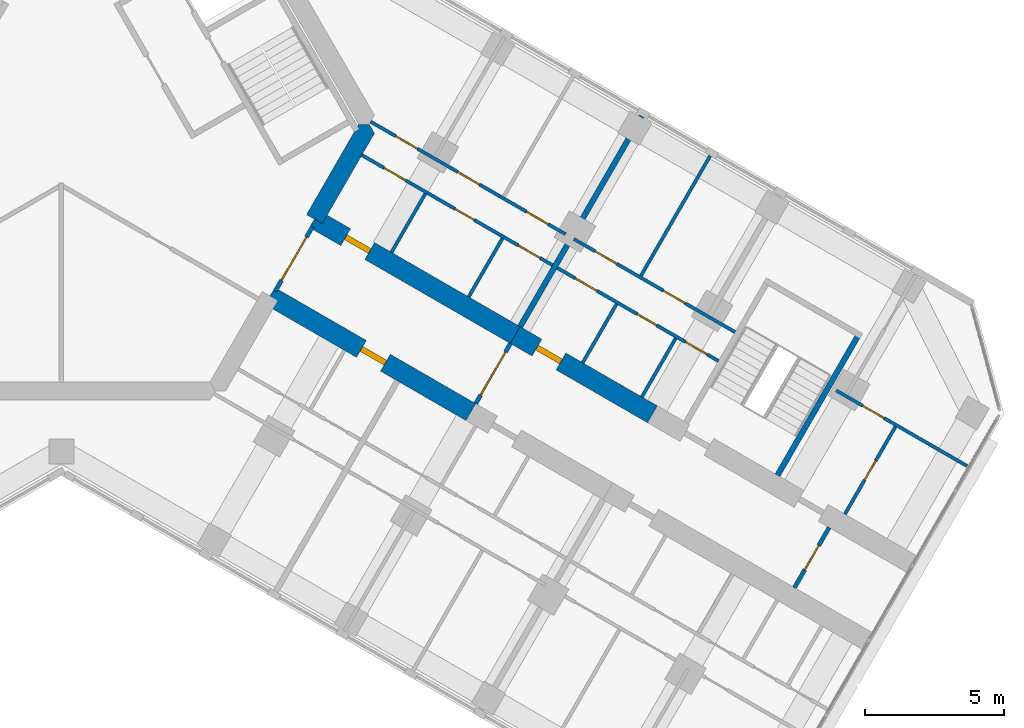
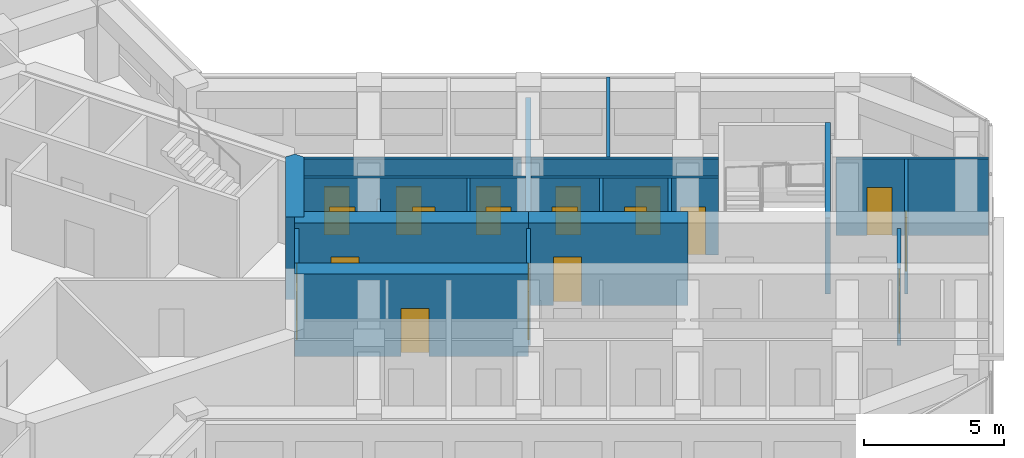
# One storey, part 12 of 16: 20 walls, 19 doors, 19 openings.
"""IFC4 building model written with IfcOpenShell, lengths in metres."""

from ifc_helpers import new_model, si_unit, direction, frame, frame_2d, origin, place, context, subcontext, project, spatial, polyline, rectangle, outline, extrude, material, layer, layer_set, type_object, element, fill, save


model = new_model("IFC4")

# Units and contexts
model_context = context("Model", 3, precision=1e-05, world=origin(), true_north=direction((0.0, 1.0)))
body_context = subcontext(model_context, "Body", "Model", "MODEL_VIEW")
ifc_project = project(units=[si_unit("LENGTHUNIT", "METRE"), si_unit("AREAUNIT", "SQUARE_METRE"), si_unit("VOLUMEUNIT", "CUBIC_METRE"), si_unit("PLANEANGLEUNIT", "RADIAN"), si_unit("MASSUNIT", "GRAM", prefix="KILO")], contexts=[model_context])

# Site, building, storey
site_placement = place(None, origin())
site = spatial("IfcSite", under=ifc_project, at=site_placement, CompositionType="ELEMENT")
building_placement = place(site_placement, origin())
building = spatial("IfcBuilding", under=site, at=building_placement, Name="Kosmar Iwan School Tower", CompositionType="ELEMENT")
storey_placement = place(building_placement, frame((0.0, 0.0, 219.0)))
storey = spatial("IfcBuildingStorey", under=building, at=storey_placement, Name="L55", CompositionType="ELEMENT", Elevation=219.0)

# Wall
ifc_material_1 = material(Name="Concrete C50/60", Category="concrete")
ifc_layer_1 = layer(ifc_material_1, 0.64990234375)
ifc_layer_set_1 = layer_set([ifc_layer_1], Name="Core wall 650")
wall_type_1 = type_object("IfcWallType", Name="Core wall 650", PredefinedType="SHEAR", material=ifc_layer_set_1)
wall_1_placement = place(storey_placement, origin())
element("IfcWall", 1, at=wall_1_placement, inside=storey, type_object=wall_type_1, Name="Core wall F330b", PredefinedType="SHEAR", context=body_context, shape_type="SweptSolid", body=[
    extrude(outline(polyline([(9.395263671875, -3.576904296875), (11.272705078125, -0.324951171875), (11.085205078125, 0.0), (10.7099609375, 0.0), (8.832275390625, -3.251953125), (9.395263671875, -3.576904296875)])), origin(), (0.0, 0.0, 1.0), 3.60009765625),
])

# Wall, opening, door
ifc_material_2 = material(Name="Concrete C50/60", Category="concrete")
ifc_layer_2 = layer(ifc_material_2, 0.699951171875)
ifc_layer_set_2 = layer_set([ifc_layer_2], Name="Corridor buttress wall 700")
wall_type_2 = type_object("IfcWallType", Name="Corridor buttress wall 700", PredefinedType="SHEAR", material=ifc_layer_set_2)
wall_2_placement = place(storey_placement, frame((9.11376953125, -3.414306640625, 0.0), z_axis=(0.0, 0.0, 1.0), x_axis=(0.866026859388, -0.499997478812, 0.0)))
wall_2 = element("IfcWall", 2, at=wall_2_placement, inside=storey, type_object=wall_type_2, Name="Corridor wall CL", PredefinedType="SHEAR", context=body_context, shape_type="SweptSolid", body=[
    extrude(rectangle(XDim=8.35009765625, YDim=0.699951171875, at=frame_2d((4.175048828125, 0.0))), origin(), (0.0, 0.0, 1.0), 3.60009765625),
])
opening_1_placement = place(wall_2_placement, frame((1.300048828125, 0.0, 0.0)))
opening_1 = element("IfcOpeningElement", 3, at=opening_1_placement, cuts=wall_2, Name="Opening D1", PredefinedType="OPENING", context=body_context, shape_type="SweptSolid", body=[
    extrude(rectangle(XDim=1.0, YDim=2.10009765625, at=frame_2d((0.5, 1.050048828125))), frame((0.0, 0.362060546875, 0.0), z_axis=(0.0, -1.0, 0.0), x_axis=(1.0, 0.0, 0.0)), (0.0, 0.0, 1.0), 0.723876953125),
])
ifc_material_3 = material(Name="Timber fire door in steel frame", Category="steel")
door_type_1 = type_object("IfcDoorType", Name="Flat entrance door 1000x2100", OperationType="SINGLE_SWING_LEFT", PredefinedType="DOOR", material=ifc_material_3)
door_1_placement = place(opening_1_placement, origin())
door_1 = element("IfcDoor", 4, at=door_1_placement, inside=storey, type_object=door_type_1, Name="Flat L55-CL1 entrance door", OperationType="SINGLE_SWING_RIGHT", OverallHeight=2.10009765625, OverallWidth=1.0, PredefinedType="DOOR", context=body_context, shape_type="SweptSolid", body=[
    extrude(rectangle(XDim=1.0, YDim=2.10009765625, at=frame_2d((0.5, 1.050048828125))), frame((0.0, 0.10009765625, 0.0), z_axis=(0.0, -1.0, 0.0), x_axis=(1.0, 0.0, 0.0)), (0.0, 0.0, 1.0), 0.199951171875),
])
fill(opening_1, door_1)

wall_3_placement = place(storey_placement, frame((16.34521484375, -7.58935546875, 0.0), z_axis=(0.0, 0.0, 1.0), x_axis=(0.866015111908, -0.50001782563, 0.0)))
wall_3 = element("IfcWall", 5, at=wall_3_placement, inside=storey, type_object=wall_type_2, Name="Corridor wall CL bay 2", PredefinedType="SHEAR", context=body_context, shape_type="SweptSolid", body=[
    extrude(rectangle(XDim=5.699951171875, YDim=0.699951171875, at=frame_2d((2.85009765625, 0.0))), origin(), (0.0, 0.0, 1.0), 3.60009765625),
])
opening_2_placement = place(wall_3_placement, frame((0.89990234375, 0.0, 0.0)))
opening_2 = element("IfcOpeningElement", 6, at=opening_2_placement, cuts=wall_3, Name="Opening D1", PredefinedType="OPENING", context=body_context, shape_type="SweptSolid", body=[
    extrude(rectangle(XDim=1.0, YDim=2.10009765625, at=frame_2d((0.5, 1.050048828125))), frame((0.0, 0.362060546875, 0.0), z_axis=(0.0, -1.0, 0.0), x_axis=(1.0, 0.0, 0.0)), (0.0, 0.0, 1.0), 0.723876953125),
])
door_2_placement = place(opening_2_placement, origin())
door_2 = element("IfcDoor", 7, at=door_2_placement, inside=storey, type_object=door_type_1, Name="Flat L55-CL2 entrance door", OperationType="SINGLE_SWING_RIGHT", OverallHeight=2.10009765625, OverallWidth=1.0, PredefinedType="DOOR", context=body_context, shape_type="SweptSolid", body=[
    extrude(rectangle(XDim=1.0, YDim=2.10009765625, at=frame_2d((0.5, 1.050048828125))), frame((0.0, 0.10009765625, 0.0), z_axis=(0.0, -1.0, 0.0), x_axis=(1.0, 0.0, 0.0)), (0.0, 0.0, 1.0), 0.199951171875),
])
fill(opening_2, door_2)

wall_4_placement = place(storey_placement, frame((7.513916015625, -6.185546875, 0.0), z_axis=(0.0, 0.0, 1.0), x_axis=(0.866019549707, -0.500010139422, 0.0)))
wall_4 = element("IfcWall", 8, at=wall_4_placement, inside=storey, type_object=wall_type_2, Name="Corridor wall CR", PredefinedType="SHEAR", context=body_context, shape_type="SweptSolid", body=[
    extrude(rectangle(XDim=8.349853515625, YDim=0.699951171875, at=frame_2d((4.1748046875, 0.0))), origin(), (0.0, 0.0, 1.0), 3.60009765625),
])
opening_3_placement = place(wall_4_placement, frame((3.800048828125, 0.0, 0.0)))
opening_3 = element("IfcOpeningElement", 9, at=opening_3_placement, cuts=wall_4, Name="Opening D1", PredefinedType="OPENING", context=body_context, shape_type="SweptSolid", body=[
    extrude(rectangle(XDim=1.0, YDim=2.10009765625, at=frame_2d((0.5, 1.050048828125))), frame((0.0, 0.362060546875, 0.0), z_axis=(0.0, -1.0, 0.0), x_axis=(1.0, 0.0, 0.0)), (0.0, 0.0, 1.0), 0.723876953125),
])
door_3_placement = place(opening_3_placement, origin())
door_3 = element("IfcDoor", 10, at=door_3_placement, inside=storey, type_object=door_type_1, Name="Flat L55-CR1 entrance door", OperationType="SINGLE_SWING_RIGHT", OverallHeight=2.10009765625, OverallWidth=1.0, PredefinedType="DOOR", context=body_context, shape_type="SweptSolid", body=[
    extrude(rectangle(XDim=1.0, YDim=2.10009765625, at=frame_2d((0.5, 1.050048828125))), frame((0.0, 0.10009765625, 0.0), z_axis=(0.0, -1.0, 0.0), x_axis=(1.0, 0.0, 0.0)), (0.0, 0.0, 1.0), 0.199951171875),
])
fill(opening_3, door_3)

ifc_material_4 = material(Name="Gypsum board on steel studs, fire-rated", Category="steel")
ifc_layer_3 = layer(ifc_material_4, 0.14990234375)
ifc_layer_set_3 = layer_set([ifc_layer_3], Name="Corridor end wall 150")
wall_type_3 = type_object("IfcWallType", Name="Corridor end wall 150", PredefinedType="PARTITIONING", material=ifc_layer_set_3)
wall_5_placement = place(storey_placement, frame((26.39501953125, -16.6826171875, 0.0), z_axis=(0.0, 0.0, 1.0), x_axis=(0.500004234368, 0.866022959057, 0.0)))
wall_5 = element("IfcWall", 11, at=wall_5_placement, inside=storey, type_object=wall_type_3, Name="Partition L55-C-CE", PredefinedType="PARTITIONING", context=body_context, shape_type="SweptSolid", body=[
    extrude(rectangle(XDim=2.5, YDim=0.14990234375, at=frame_2d((1.25, 0.0))), origin(), (0.0, 0.0, 1.0), 3.35009765625),
])
opening_4_placement = place(wall_5_placement, frame((0.75, 0.0, 0.0)))
opening_4 = element("IfcOpeningElement", 12, at=opening_4_placement, cuts=wall_5, Name="Opening D13", PredefinedType="OPENING", context=body_context, shape_type="SweptSolid", body=[
    extrude(rectangle(XDim=1.0, YDim=2.10009765625, at=frame_2d((0.5, 1.050048828125))), frame((0.0, 0.0869140625, 0.0), z_axis=(0.0, -1.0, 0.0), x_axis=(1.0, 0.0, 0.0)), (0.0, 0.0, 1.0), 0.173828125),
])
ifc_material_5 = material(Name="Timber fire door with vision panel", Category="wood")
door_type_2 = type_object("IfcDoorType", Name="Corridor end door 1000x2100", OperationType="SINGLE_SWING_LEFT", PredefinedType="DOOR", material=ifc_material_5)
door_4_placement = place(opening_4_placement, origin())
door_4 = element("IfcDoor", 13, at=door_4_placement, inside=storey, type_object=door_type_2, Name="Laundry and drying room door L55-C", OperationType="SINGLE_SWING_RIGHT", OverallHeight=2.10009765625, OverallWidth=1.0, PredefinedType="DOOR", context=body_context, shape_type="SweptSolid", body=[
    extrude(rectangle(XDim=1.0, YDim=2.10009765625, at=frame_2d((0.5, 1.050048828125))), frame((0.0, 0.02490234375, 0.0), z_axis=(0.0, -1.0, 0.0), x_axis=(1.0, 0.0, 0.0)), (0.0, 0.0, 1.0), 0.050048828125),
])
fill(opening_4, door_4)

wall_6_placement = place(storey_placement, frame((14.920166015625, -10.0576171875, 0.0), z_axis=(0.0, 0.0, 1.0), x_axis=(0.500004234368, 0.866022959057, 0.0)))
wall_6 = element("IfcWall", 14, at=wall_6_placement, inside=storey, type_object=wall_type_3, Name="Partition L55-C-HW", PredefinedType="PARTITIONING", context=body_context, shape_type="SweptSolid", body=[
    extrude(rectangle(XDim=2.5, YDim=0.14990234375, at=frame_2d((1.25, 0.0))), origin(), (0.0, 0.0, 1.0), 3.35009765625),
])
opening_5_placement = place(wall_6_placement, frame((0.35009765625, 0.0, 0.0)))
opening_5 = element("IfcOpeningElement", 15, at=opening_5_placement, cuts=wall_6, Name="Opening D9", PredefinedType="OPENING", context=body_context, shape_type="SweptSolid", body=[
    extrude(rectangle(XDim=1.800048828125, YDim=2.10009765625, at=frame_2d((0.89990234375, 1.050048828125))), frame((0.0, 0.0869140625, 0.0), z_axis=(0.0, -1.0, 0.0), x_axis=(1.0, 0.0, 0.0)), (0.0, 0.0, 1.0), 0.173828125),
])
ifc_material_6 = material(Name="Steel framed glazed smoke door", Category="steel")
door_type_3 = type_object("IfcDoorType", Name="Corridor smoke door pair 1800x2100", OperationType="DOUBLE_DOOR_DOUBLE_SWING", PredefinedType="DOOR", material=ifc_material_6)
door_5_placement = place(opening_5_placement, origin())
door_5 = element("IfcDoor", 16, at=door_5_placement, inside=storey, type_object=door_type_3, Name="Entrance vestibule smoke doors L55-C", OperationType="DOUBLE_DOOR_DOUBLE_SWING", OverallHeight=2.10009765625, OverallWidth=1.800048828125, PredefinedType="DOOR", context=body_context, shape_type="SweptSolid", body=[
    extrude(rectangle(XDim=1.800048828125, YDim=2.10009765625, at=frame_2d((0.89990234375, 1.050048828125))), frame((0.0, 0.02490234375, 0.0), z_axis=(0.0, -1.0, 0.0), x_axis=(1.0, 0.0, 0.0)), (0.0, 0.0, 1.0), 0.050048828125),
])
fill(opening_5, door_5)

ifc_material_7 = material(Name="Steel framed glazed screen", Category="steel")
ifc_layer_4 = layer(ifc_material_7, 0.14990234375)
ifc_layer_set_4 = layer_set([ifc_layer_4], Name="Corridor screen wall 150")
wall_type_4 = type_object("IfcWallType", Name="Corridor screen wall 150", PredefinedType="PARTITIONING", material=ifc_layer_set_4)
wall_7_placement = place(storey_placement, frame((7.703857421875, -6.006591796875, 0.0), z_axis=(0.0, 0.0, 1.0), x_axis=(0.499980770555, 0.866036505625, 0.0)))
wall_7 = element("IfcWall", 17, at=wall_7_placement, inside=storey, type_object=wall_type_4, Name="Corridor screen C L55", PredefinedType="PARTITIONING", context=body_context, shape_type="SweptSolid", body=[
    extrude(rectangle(XDim=2.69970703125, YDim=0.14990234375, at=frame_2d((1.349853515625, 0.0))), origin(), (0.0, 0.0, 1.0), 3.35009765625),
])
opening_6_placement = place(wall_7_placement, frame((0.449951171875, 0.0, 0.0)))
opening_6 = element("IfcOpeningElement", 18, at=opening_6_placement, cuts=wall_7, Name="Opening D9", PredefinedType="OPENING", context=body_context, shape_type="SweptSolid", body=[
    extrude(rectangle(XDim=1.800048828125, YDim=2.10009765625, at=frame_2d((0.89990234375, 1.050048828125))), frame((0.0, 0.0869140625, 0.0), z_axis=(0.0, -1.0, 0.0), x_axis=(1.0, 0.0, 0.0)), (0.0, 0.0, 1.0), 0.173828125),
])
door_6_placement = place(opening_6_placement, origin())
door_6 = element("IfcDoor", 19, at=door_6_placement, inside=storey, type_object=door_type_3, Name="Corridor doors C L55", OperationType="DOUBLE_DOOR_DOUBLE_SWING", OverallHeight=2.10009765625, OverallWidth=1.800048828125, PredefinedType="DOOR", context=body_context, shape_type="SweptSolid", body=[
    extrude(rectangle(XDim=1.800048828125, YDim=2.10009765625, at=frame_2d((0.89990234375, 1.050048828125))), frame((0.0, 0.02490234375, 0.0), z_axis=(0.0, -1.0, 0.0), x_axis=(1.0, 0.0, 0.0)), (0.0, 0.0, 1.0), 0.050048828125),
])
fill(opening_6, door_6)

# Wall, openings, doors
ifc_material_8 = material(Name="Gypsum board on steel studs", Category="steel")
ifc_layer_5 = layer(ifc_material_8, 0.1201171875)
ifc_layer_set_5 = layer_set([ifc_layer_5], Name="Dwelling partition 120")
wall_type_5 = type_object("IfcWallType", Name="Dwelling partition 120", PredefinedType="PARTITIONING", material=ifc_layer_set_5)
wall_8_placement = place(storey_placement, frame((10.8203125, -1.108642578125, 0.0), z_axis=(0.0, 0.0, 1.0), x_axis=(0.866018344059, -0.500012227604, 0.0)))
wall_8 = element("IfcWall", 20, at=wall_8_placement, inside=storey, type_object=wall_type_5, Name="Partition L55-CL1-W1", PredefinedType="PARTITIONING", context=body_context, shape_type="SweptSolid", body=[
    extrude(rectangle(XDim=7.925048828125, YDim=0.1201171875, at=frame_2d((3.96240234375, 0.0))), origin(), (0.0, 0.0, 1.0), 3.35009765625),
])
opening_7_placement = place(wall_8_placement, frame((0.925048828125, 0.0, 0.0)))
opening_7 = element("IfcOpeningElement", 21, at=opening_7_placement, cuts=wall_8, Name="Opening D2", PredefinedType="OPENING", context=body_context, shape_type="SweptSolid", body=[
    extrude(rectangle(XDim=0.89990234375, YDim=2.10009765625, at=frame_2d((0.449951171875, 1.050048828125))), frame((0.0, 0.072021484375, 0.0), z_axis=(0.0, -1.0, 0.0), x_axis=(1.0, 0.0, 0.0)), (0.0, 0.0, 1.0), 0.14404296875),
])
opening_8_placement = place(wall_8_placement, frame((3.880126953125, 0.0, 0.0)))
opening_8 = element("IfcOpeningElement", 22, at=opening_8_placement, cuts=wall_8, Name="Opening D3", PredefinedType="OPENING", context=body_context, shape_type="SweptSolid", body=[
    extrude(rectangle(XDim=0.800048828125, YDim=2.10009765625, at=frame_2d((0.39990234375, 1.050048828125))), frame((0.0, 0.072021484375, 0.0), z_axis=(0.0, -1.0, 0.0), x_axis=(1.0, 0.0, 0.0)), (0.0, 0.0, 1.0), 0.14404296875),
])
opening_9_placement = place(wall_8_placement, frame((6.505126953125, 0.0, 0.0)))
opening_9 = element("IfcOpeningElement", 23, at=opening_9_placement, cuts=wall_8, Name="Opening D2", PredefinedType="OPENING", context=body_context, shape_type="SweptSolid", body=[
    extrude(rectangle(XDim=0.89990234375, YDim=2.10009765625, at=frame_2d((0.449951171875, 1.050048828125))), frame((0.0, 0.072021484375, 0.0), z_axis=(0.0, -1.0, 0.0), x_axis=(1.0, 0.0, 0.0)), (0.0, 0.0, 1.0), 0.14404296875),
])
ifc_material_9 = material(Name="Timber door in timber frame", Category="wood")
door_type_4 = type_object("IfcDoorType", Name="Internal door 900x2100", OperationType="SINGLE_SWING_LEFT", PredefinedType="DOOR", material=ifc_material_9)
door_7_placement = place(opening_7_placement, origin())
door_7 = element("IfcDoor", 24, at=door_7_placement, inside=storey, type_object=door_type_4, Name="Entrance hall door L55-CL1-S1", OperationType="SINGLE_SWING_LEFT", OverallHeight=2.10009765625, OverallWidth=0.89990234375, PredefinedType="DOOR", context=body_context, shape_type="SweptSolid", body=[
    extrude(rectangle(XDim=0.89990234375, YDim=2.10009765625, at=frame_2d((0.449951171875, 1.050048828125))), frame((0.0, 0.02490234375, 0.0), z_axis=(0.0, -1.0, 0.0), x_axis=(1.0, 0.0, 0.0)), (0.0, 0.0, 1.0), 0.050048828125),
])
fill(opening_7, door_7)
door_8_placement = place(opening_9_placement, origin())
door_8 = element("IfcDoor", 25, at=door_8_placement, inside=storey, type_object=door_type_4, Name="Pantry door L55-CL1-S3", OperationType="SINGLE_SWING_RIGHT", OverallHeight=2.10009765625, OverallWidth=0.89990234375, PredefinedType="DOOR", context=body_context, shape_type="SweptSolid", body=[
    extrude(rectangle(XDim=0.89990234375, YDim=2.10009765625, at=frame_2d((0.449951171875, 1.050048828125))), frame((0.0, 0.02490234375, 0.0), z_axis=(0.0, -1.0, 0.0), x_axis=(1.0, 0.0, 0.0)), (0.0, 0.0, 1.0), 0.050048828125),
])
fill(opening_9, door_8)
ifc_material_10 = material(Name="Timber door in timber frame", Category="wood")
door_type_5 = type_object("IfcDoorType", Name="Sanitary room door 800x2100", OperationType="SINGLE_SWING_LEFT", PredefinedType="DOOR", material=ifc_material_10)
door_9_placement = place(opening_8_placement, origin())
door_9 = element("IfcDoor", 26, at=door_9_placement, inside=storey, type_object=door_type_5, Name="Bathroom door L55-CL1-S2", OperationType="SINGLE_SWING_RIGHT", OverallHeight=2.10009765625, OverallWidth=0.800048828125, PredefinedType="DOOR", context=body_context, shape_type="SweptSolid", body=[
    extrude(rectangle(XDim=0.800048828125, YDim=2.10009765625, at=frame_2d((0.39990234375, 1.050048828125))), frame((0.0, 0.02490234375, 0.0), z_axis=(0.0, -1.0, 0.0), x_axis=(1.0, 0.0, 0.0)), (0.0, 0.0, 1.0), 0.050048828125),
])
fill(opening_8, door_9)

wall_9_placement = place(storey_placement, frame((11.138916015625, 0.093017578125, 0.0), z_axis=(0.0, 0.0, 1.0), x_axis=(0.866017937352, -0.500012932018, 0.0)))
wall_9 = element("IfcWall", 27, at=wall_9_placement, inside=storey, type_object=wall_type_5, Name="Partition L55-CL1-W2", PredefinedType="PARTITIONING", context=body_context, shape_type="SweptSolid", body=[
    extrude(rectangle(XDim=8.099853515625, YDim=0.1201171875, at=frame_2d((4.0498046875, 0.0))), origin(), (0.0, 0.0, 1.0), 3.35009765625),
])
opening_10_placement = place(wall_9_placement, frame((1.050048828125, 0.0, 0.0)))
opening_10 = element("IfcOpeningElement", 28, at=opening_10_placement, cuts=wall_9, Name="Opening D2", PredefinedType="OPENING", context=body_context, shape_type="SweptSolid", body=[
    extrude(rectangle(XDim=0.89990234375, YDim=2.10009765625, at=frame_2d((0.449951171875, 1.050048828125))), frame((0.0, 0.072021484375, 0.0), z_axis=(0.0, -1.0, 0.0), x_axis=(1.0, 0.0, 0.0)), (0.0, 0.0, 1.0), 0.14404296875),
])
opening_11_placement = place(wall_9_placement, frame((3.625, 0.0, 0.0)))
opening_11 = element("IfcOpeningElement", 29, at=opening_11_placement, cuts=wall_9, Name="Opening D2", PredefinedType="OPENING", context=body_context, shape_type="SweptSolid", body=[
    extrude(rectangle(XDim=0.89990234375, YDim=2.10009765625, at=frame_2d((0.449951171875, 1.050048828125))), frame((0.0, 0.072021484375, 0.0), z_axis=(0.0, -1.0, 0.0), x_axis=(1.0, 0.0, 0.0)), (0.0, 0.0, 1.0), 0.14404296875),
])
opening_12_placement = place(wall_9_placement, frame((6.47509765625, 0.0, 0.0)))
opening_12 = element("IfcOpeningElement", 30, at=opening_12_placement, cuts=wall_9, Name="Opening D2", PredefinedType="OPENING", context=body_context, shape_type="SweptSolid", body=[
    extrude(rectangle(XDim=0.89990234375, YDim=2.10009765625, at=frame_2d((0.449951171875, 1.050048828125))), frame((0.0, 0.072021484375, 0.0), z_axis=(0.0, -1.0, 0.0), x_axis=(1.0, 0.0, 0.0)), (0.0, 0.0, 1.0), 0.14404296875),
])
door_10_placement = place(opening_10_placement, origin())
door_10 = element("IfcDoor", 31, at=door_10_placement, inside=storey, type_object=door_type_4, Name="Living room and kitchen door L55-CL1-F1", OperationType="SINGLE_SWING_LEFT", OverallHeight=2.10009765625, OverallWidth=0.89990234375, PredefinedType="DOOR", context=body_context, shape_type="SweptSolid", body=[
    extrude(rectangle(XDim=0.89990234375, YDim=2.10009765625, at=frame_2d((0.449951171875, 1.050048828125))), frame((0.0, 0.02490234375, 0.0), z_axis=(0.0, -1.0, 0.0), x_axis=(1.0, 0.0, 0.0)), (0.0, 0.0, 1.0), 0.050048828125),
])
fill(opening_10, door_10)
door_11_placement = place(opening_11_placement, origin())
door_11 = element("IfcDoor", 32, at=door_11_placement, inside=storey, type_object=door_type_4, Name="Study door L55-CL1-F2", OperationType="SINGLE_SWING_LEFT", OverallHeight=2.10009765625, OverallWidth=0.89990234375, PredefinedType="DOOR", context=body_context, shape_type="SweptSolid", body=[
    extrude(rectangle(XDim=0.89990234375, YDim=2.10009765625, at=frame_2d((0.449951171875, 1.050048828125))), frame((0.0, 0.02490234375, 0.0), z_axis=(0.0, -1.0, 0.0), x_axis=(1.0, 0.0, 0.0)), (0.0, 0.0, 1.0), 0.050048828125),
])
fill(opening_11, door_11)
door_12_placement = place(opening_12_placement, origin())
door_12 = element("IfcDoor", 33, at=door_12_placement, inside=storey, type_object=door_type_4, Name="Bedroom 1 door L55-CL1-F3", OperationType="SINGLE_SWING_RIGHT", OverallHeight=2.10009765625, OverallWidth=0.89990234375, PredefinedType="DOOR", context=body_context, shape_type="SweptSolid", body=[
    extrude(rectangle(XDim=0.89990234375, YDim=2.10009765625, at=frame_2d((0.449951171875, 1.050048828125))), frame((0.0, 0.02490234375, 0.0), z_axis=(0.0, -1.0, 0.0), x_axis=(1.0, 0.0, 0.0)), (0.0, 0.0, 1.0), 0.050048828125),
])
fill(opening_12, door_12)

# Walls
wall_10_placement = place(storey_placement, frame((11.886962890625, -4.611328125, 0.0), z_axis=(0.0, 0.0, 1.0), x_axis=(0.499959183527, 0.866048967903, 0.0)))
element("IfcWall", 34, at=wall_10_placement, inside=storey, type_object=wall_type_5, Name="Partition L55-CL1-Y1", PredefinedType="PARTITIONING", context=body_context, shape_type="SweptSolid", body=[
    extrude(rectangle(XDim=2.440185546875, YDim=0.1201171875, at=frame_2d((1.22021484375, 0.0))), origin(), (0.0, 0.0, 1.0), 2.449951171875),
])
wall_11_placement = place(storey_placement, frame((14.666748046875, -6.21630859375, 0.0), z_axis=(0.0, 0.0, 1.0), x_axis=(0.500034220881, 0.866005645448, 0.0)))
element("IfcWall", 35, at=wall_11_placement, inside=storey, type_object=wall_type_5, Name="Partition L55-CL1-Y2", PredefinedType="PARTITIONING", context=body_context, shape_type="SweptSolid", body=[
    extrude(rectangle(XDim=2.440185546875, YDim=0.1201171875, at=frame_2d((1.22021484375, 0.0))), origin(), (0.0, 0.0, 1.0), 3.35009765625),
])

# Wall, openings, doors
wall_12_placement = place(storey_placement, frame((17.856689453125, -5.171142578125, 0.0), z_axis=(0.0, 0.0, 1.0), x_axis=(0.866023571113, -0.500003174267, 0.0)))
wall_12 = element("IfcWall", 36, at=wall_12_placement, inside=storey, type_object=wall_type_5, Name="Partition L55-CL2-W1", PredefinedType="PARTITIONING", context=body_context, shape_type="SweptSolid", body=[
    extrude(rectangle(XDim=6.7001953125, YDim=0.1201171875, at=frame_2d((3.35009765625, 0.0))), origin(), (0.0, 0.0, 1.0), 3.35009765625),
])
opening_13_placement = place(wall_12_placement, frame((0.75, 0.0, 0.0)))
opening_13 = element("IfcOpeningElement", 37, at=opening_13_placement, cuts=wall_12, Name="Opening D2", PredefinedType="OPENING", context=body_context, shape_type="SweptSolid", body=[
    extrude(rectangle(XDim=0.89990234375, YDim=2.10009765625, at=frame_2d((0.449951171875, 1.050048828125))), frame((0.0, 0.072021484375, 0.0), z_axis=(0.0, -1.0, 0.0), x_axis=(1.0, 0.0, 0.0)), (0.0, 0.0, 1.0), 0.14404296875),
])
opening_14_placement = place(wall_12_placement, frame((3.330078125, 0.0, 0.0)))
opening_14 = element("IfcOpeningElement", 38, at=opening_14_placement, cuts=wall_12, Name="Opening D3", PredefinedType="OPENING", context=body_context, shape_type="SweptSolid", body=[
    extrude(rectangle(XDim=0.800048828125, YDim=2.10009765625, at=frame_2d((0.39990234375, 1.050048828125))), frame((0.0, 0.072021484375, 0.0), z_axis=(0.0, -1.0, 0.0), x_axis=(1.0, 0.0, 0.0)), (0.0, 0.0, 1.0), 0.14404296875),
])
opening_15_placement = place(wall_12_placement, frame((5.330078125, 0.0, 0.0)))
opening_15 = element("IfcOpeningElement", 39, at=opening_15_placement, cuts=wall_12, Name="Opening D2", PredefinedType="OPENING", context=body_context, shape_type="SweptSolid", body=[
    extrude(rectangle(XDim=0.89990234375, YDim=2.10009765625, at=frame_2d((0.449951171875, 1.050048828125))), frame((0.0, 0.072021484375, 0.0), z_axis=(0.0, -1.0, 0.0), x_axis=(1.0, 0.0, 0.0)), (0.0, 0.0, 1.0), 0.14404296875),
])
door_13_placement = place(opening_13_placement, origin())
door_13 = element("IfcDoor", 40, at=door_13_placement, inside=storey, type_object=door_type_4, Name="Entrance hall door L55-CL2-S1", OperationType="SINGLE_SWING_LEFT", OverallHeight=2.10009765625, OverallWidth=0.89990234375, PredefinedType="DOOR", context=body_context, shape_type="SweptSolid", body=[
    extrude(rectangle(XDim=0.89990234375, YDim=2.10009765625, at=frame_2d((0.449951171875, 1.050048828125))), frame((0.0, 0.02490234375, 0.0), z_axis=(0.0, -1.0, 0.0), x_axis=(1.0, 0.0, 0.0)), (0.0, 0.0, 1.0), 0.050048828125),
])
fill(opening_13, door_13)
door_14_placement = place(opening_15_placement, frame((0.89990234375, 0.0, 0.0), z_axis=(0.0, 0.0, 1.0), x_axis=(-1.0, 0.0, 0.0)))
door_14 = element("IfcDoor", 41, at=door_14_placement, inside=storey, type_object=door_type_4, Name="Pantry door L55-CL2-S3", OperationType="SINGLE_SWING_LEFT", OverallHeight=2.10009765625, OverallWidth=0.89990234375, PredefinedType="DOOR", context=body_context, shape_type="SweptSolid", body=[
    extrude(rectangle(XDim=0.89990234375, YDim=2.10009765625, at=frame_2d((0.449951171875, 1.050048828125))), frame((0.0, 0.02490234375, 0.0), z_axis=(0.0, -1.0, 0.0), x_axis=(1.0, 0.0, 0.0)), (0.0, 0.0, 1.0), 0.050048828125),
])
fill(opening_15, door_14)
door_15_placement = place(opening_14_placement, origin())
door_15 = element("IfcDoor", 42, at=door_15_placement, inside=storey, type_object=door_type_5, Name="Bathroom door L55-CL2-S2", OperationType="SINGLE_SWING_RIGHT", OverallHeight=2.10009765625, OverallWidth=0.800048828125, PredefinedType="DOOR", context=body_context, shape_type="SweptSolid", body=[
    extrude(rectangle(XDim=0.800048828125, YDim=2.10009765625, at=frame_2d((0.39990234375, 1.050048828125))), frame((0.0, 0.02490234375, 0.0), z_axis=(0.0, -1.0, 0.0), x_axis=(1.0, 0.0, 0.0)), (0.0, 0.0, 1.0), 0.050048828125),
])
fill(opening_14, door_15)

wall_13_placement = place(storey_placement, frame((18.456787109375, -4.1318359375, 0.0), z_axis=(0.0, 0.0, 1.0), x_axis=(0.866014461049, -0.500018952895, 0.0)))
wall_13 = element("IfcWall", 43, at=wall_13_placement, inside=storey, type_object=wall_type_5, Name="Partition L55-CL2-W2", PredefinedType="PARTITIONING", context=body_context, shape_type="SweptSolid", body=[
    extrude(rectangle(XDim=6.699951171875, YDim=0.1201171875, at=frame_2d((3.35009765625, 0.0))), origin(), (0.0, 0.0, 1.0), 3.35009765625),
])
opening_16_placement = place(wall_13_placement, frame((0.875, 0.0, 0.0)))
opening_16 = element("IfcOpeningElement", 44, at=opening_16_placement, cuts=wall_13, Name="Opening D2", PredefinedType="OPENING", context=body_context, shape_type="SweptSolid", body=[
    extrude(rectangle(XDim=0.89990234375, YDim=2.10009765625, at=frame_2d((0.449951171875, 1.050048828125))), frame((0.0, 0.072021484375, 0.0), z_axis=(0.0, -1.0, 0.0), x_axis=(1.0, 0.0, 0.0)), (0.0, 0.0, 1.0), 0.14404296875),
])
opening_17_placement = place(wall_13_placement, frame((3.72509765625, 0.0, 0.0)))
opening_17 = element("IfcOpeningElement", 45, at=opening_17_placement, cuts=wall_13, Name="Opening D2", PredefinedType="OPENING", context=body_context, shape_type="SweptSolid", body=[
    extrude(rectangle(XDim=0.89990234375, YDim=2.10009765625, at=frame_2d((0.449951171875, 1.050048828125))), frame((0.0, 0.072021484375, 0.0), z_axis=(0.0, -1.0, 0.0), x_axis=(1.0, 0.0, 0.0)), (0.0, 0.0, 1.0), 0.14404296875),
])
door_16_placement = place(opening_16_placement, origin())
door_16 = element("IfcDoor", 46, at=door_16_placement, inside=storey, type_object=door_type_4, Name="Living room and kitchen door L55-CL2-F1", OperationType="SINGLE_SWING_RIGHT", OverallHeight=2.10009765625, OverallWidth=0.89990234375, PredefinedType="DOOR", context=body_context, shape_type="SweptSolid", body=[
    extrude(rectangle(XDim=0.89990234375, YDim=2.10009765625, at=frame_2d((0.449951171875, 1.050048828125))), frame((0.0, 0.02490234375, 0.0), z_axis=(0.0, -1.0, 0.0), x_axis=(1.0, 0.0, 0.0)), (0.0, 0.0, 1.0), 0.050048828125),
])
fill(opening_16, door_16)
door_17_placement = place(opening_17_placement, origin())
door_17 = element("IfcDoor", 47, at=door_17_placement, inside=storey, type_object=door_type_4, Name="Bedroom 1 door L55-CL2-F2", OperationType="SINGLE_SWING_LEFT", OverallHeight=2.10009765625, OverallWidth=0.89990234375, PredefinedType="DOOR", context=body_context, shape_type="SweptSolid", body=[
    extrude(rectangle(XDim=0.89990234375, YDim=2.10009765625, at=frame_2d((0.449951171875, 1.050048828125))), frame((0.0, 0.02490234375, 0.0), z_axis=(0.0, -1.0, 0.0), x_axis=(1.0, 0.0, 0.0)), (0.0, 0.0, 1.0), 0.050048828125),
])
fill(opening_17, door_17)

# Walls
wall_14_placement = place(storey_placement, frame((20.868408203125, -5.455078125, 0.0), z_axis=(0.0, 0.0, 1.0), x_axis=(0.499975153383, 0.86603974851, 0.0)))
element("IfcWall", 48, at=wall_14_placement, inside=storey, type_object=wall_type_5, Name="Partition L55-CL2-X1", PredefinedType="PARTITIONING", context=body_context, shape_type="SweptSolid", body=[
    extrude(rectangle(XDim=4.989990234375, YDim=0.1201171875, at=frame_2d((2.4951171875, 0.0))), origin(), (0.0, 0.0, 1.0), 3.35009765625),
])
for number, where, z_axis, x_axis, name in (
    (49, (18.771728515625, -8.586181640625, 0.0), (0.0, 0.0, 1.0), (0.500077547548, 0.865980627057, 0.0), "Partition L55-CL2-Y1"),
    (50, (20.90234375, -9.816162109375, 0.0), (0.0, 0.0, 1.0), (0.500002508028, 0.866023955769, 0.0), "Partition L55-CL2-Y2"),
):
    element("IfcWall", number, at=place(storey_placement, frame(where, z_axis=z_axis, x_axis=x_axis)), inside=storey, type_object=wall_type_5, Name=name, PredefinedType="PARTITIONING", context=body_context, shape_type="SweptSolid", body=[
        extrude(rectangle(XDim=2.43994140625, YDim=0.1201171875, at=frame_2d((1.219970703125, 0.0))), origin(), (0.0, 0.0, 1.0), 3.35009765625),
    ])

# Wall, opening, door
wall_15_placement = place(storey_placement, frame((27.896484375, -9.58203125, 0.0), z_axis=(0.0, 0.0, 1.0), x_axis=(0.866035508231, -0.499982498177, 0.0)))
wall_15 = element("IfcWall", 51, at=wall_15_placement, inside=storey, type_object=wall_type_5, Name="Partition L55-CL3-TW", PredefinedType="PARTITIONING", context=body_context, shape_type="SweptSolid", body=[
    extrude(rectangle(XDim=5.445068359375, YDim=0.1201171875, at=frame_2d((2.72265625, 0.0))), origin(), (0.0, 0.0, 1.0), 3.35009765625),
])
opening_18_placement = place(wall_15_placement, frame((1.10009765625, 0.0, 0.0)))
opening_18 = element("IfcOpeningElement", 52, at=opening_18_placement, cuts=wall_15, Name="Opening D2", PredefinedType="OPENING", context=body_context, shape_type="SweptSolid", body=[
    extrude(rectangle(XDim=0.89990234375, YDim=2.10009765625, at=frame_2d((0.449951171875, 1.050048828125))), frame((0.0, 0.072021484375, 0.0), z_axis=(0.0, -1.0, 0.0), x_axis=(1.0, 0.0, 0.0)), (0.0, 0.0, 1.0), 0.14404296875),
])
door_18_placement = place(opening_18_placement, origin())
door_18 = element("IfcDoor", 53, at=door_18_placement, inside=storey, type_object=door_type_4, Name="Entrance hall door L55-CL3-T3", OperationType="SINGLE_SWING_LEFT", OverallHeight=2.10009765625, OverallWidth=0.89990234375, PredefinedType="DOOR", context=body_context, shape_type="SweptSolid", body=[
    extrude(rectangle(XDim=0.89990234375, YDim=2.10009765625, at=frame_2d((0.449951171875, 1.050048828125))), frame((0.0, 0.02490234375, 0.0), z_axis=(0.0, -1.0, 0.0), x_axis=(1.0, 0.0, 0.0)), (0.0, 0.0, 1.0), 0.050048828125),
])
fill(opening_18, door_18)

wall_16_placement = place(storey_placement, frame((28.21142578125, -14.036376953125, 0.0), z_axis=(0.0, 0.0, 1.0), x_axis=(0.499983701346, 0.866034813612, 0.0)))
wall_16 = element("IfcWall", 54, at=wall_16_placement, inside=storey, type_object=wall_type_5, Name="Partition L55-CL3-TY", PredefinedType="PARTITIONING", context=body_context, shape_type="SweptSolid", body=[
    extrude(rectangle(XDim=3.64013671875, YDim=0.1201171875, at=frame_2d((1.820068359375, 0.0))), origin(), (0.0, 0.0, 1.0), 3.35009765625),
])
opening_19_placement = place(wall_16_placement, frame((1.419921875, 0.0, 0.0)))
opening_19 = element("IfcOpeningElement", 55, at=opening_19_placement, cuts=wall_16, Name="Opening D3", PredefinedType="OPENING", context=body_context, shape_type="SweptSolid", body=[
    extrude(rectangle(XDim=0.800048828125, YDim=2.10009765625, at=frame_2d((0.39990234375, 1.050048828125))), frame((0.0, 0.072021484375, 0.0), z_axis=(0.0, -1.0, 0.0), x_axis=(1.0, 0.0, 0.0)), (0.0, 0.0, 1.0), 0.14404296875),
])
door_19_placement = place(opening_19_placement, origin())
door_19 = element("IfcDoor", 56, at=door_19_placement, inside=storey, type_object=door_type_5, Name="Bathroom door L55-CL3-T4", OperationType="SINGLE_SWING_RIGHT", OverallHeight=2.10009765625, OverallWidth=0.800048828125, PredefinedType="DOOR", context=body_context, shape_type="SweptSolid", body=[
    extrude(rectangle(XDim=0.800048828125, YDim=2.10009765625, at=frame_2d((0.39990234375, 1.050048828125))), frame((0.0, 0.02490234375, 0.0), z_axis=(0.0, -1.0, 0.0), x_axis=(1.0, 0.0, 0.0)), (0.0, 0.0, 1.0), 0.050048828125),
])
fill(opening_19, door_19)

# Walls
ifc_material_11 = material(Name="Concrete C35/45", Category="concrete")
ifc_layer_6 = layer(ifc_material_11, 0.199951171875)
ifc_layer_set_6 = layer_set([ifc_layer_6], Name="Escape stair wall 200")
wall_type_6 = type_object("IfcWallType", Name="Escape stair wall 200", PredefinedType="SHEAR", material=ifc_layer_set_6)
wall_17_placement = place(storey_placement, frame((25.78662109375, -12.63623046875, 0.0), z_axis=(0.0, 0.0, 1.0), x_axis=(0.500013701029, 0.866017493347, 0.0)))
element("IfcWall", 57, at=wall_17_placement, inside=storey, type_object=wall_type_6, Name="Stair WS3 wall", PredefinedType="SHEAR", context=body_context, shape_type="SweptSolid", body=[
    extrude(rectangle(XDim=5.949951171875, YDim=0.199951171875, at=frame_2d((2.97509765625, 0.0))), origin(), (0.0, 0.0, 1.0), 3.330078125),
])
ifc_material_12 = material(Name="Concrete block masonry", Category="masonry")
ifc_layer_7 = layer(ifc_material_12, 0.199951171875)
ifc_layer_set_7 = layer_set([ifc_layer_7], Name="Party wall 200")
wall_type_7 = type_object("IfcWallType", Name="Party wall 200", PredefinedType="PARTITIONING", material=ifc_layer_set_7)
wall_18_placement = place(storey_placement, frame((16.520263671875, -7.286376953125, 0.0), z_axis=(0.0, 0.0, 1.0), x_axis=(0.499992152613, 0.866029934428, 0.0)))
element("IfcWall", 58, at=wall_18_placement, inside=storey, type_object=wall_type_7, Name="Partition L55-CL2-PW", PredefinedType="PARTITIONING", context=body_context, shape_type="SweptSolid", body=[
    extrude(rectangle(XDim=8.750244140625, YDim=0.199951171875, at=frame_2d((4.375, 0.0))), origin(), (0.0, 0.0, 1.0), 2.449951171875),
])

save(model, "model.ifc")
